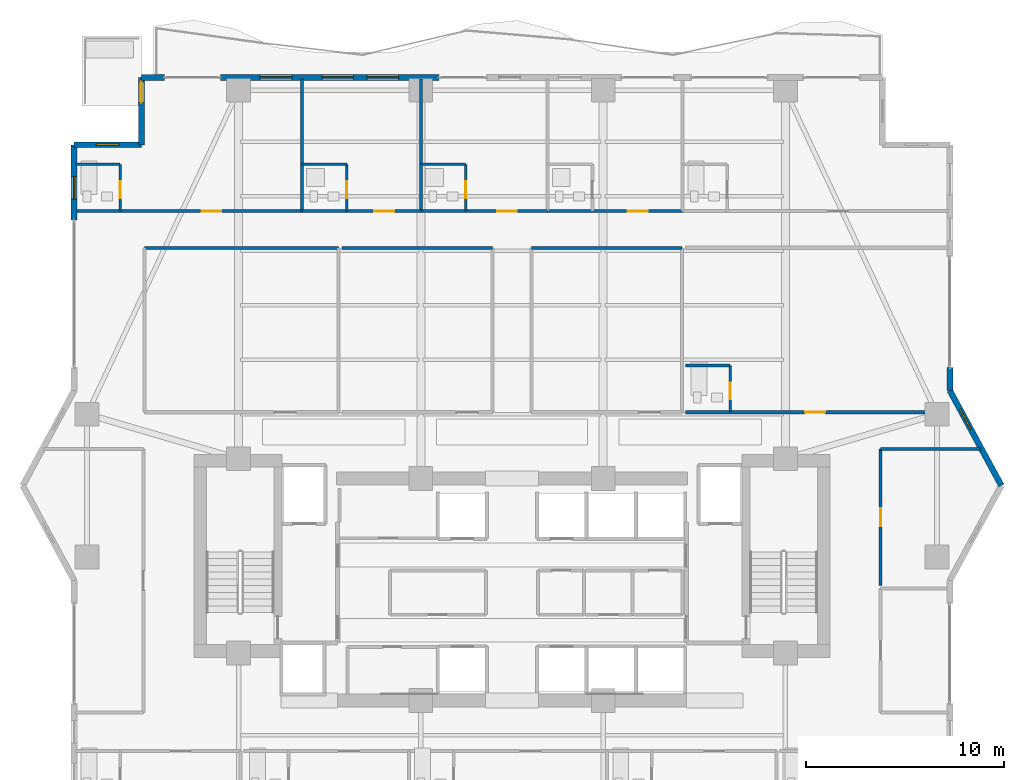
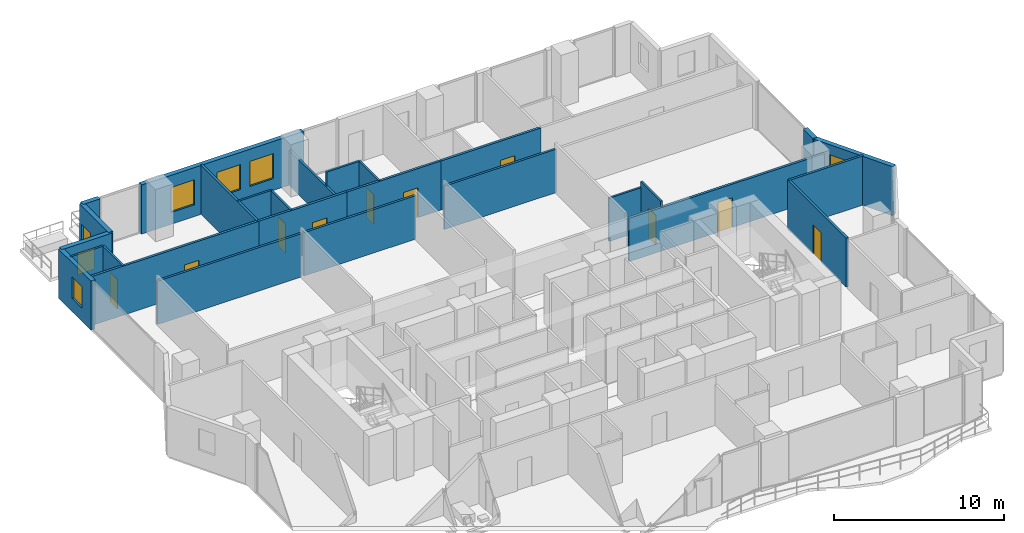
# One storey, part 27 of 32: 27 walls, 11 doors, 6 windows, 17 openings.
"""IFC4 building model written with IfcOpenShell, lengths in metres."""

from ifc_helpers import new_model, si_unit, direction, frame, frame_2d, origin, place, context, subcontext, project, spatial, rectangle, extrude, material, layer, layer_set, type_object, element, fill, save


model = new_model("IFC4")

# Units and contexts
model_context = context("Model", 3, precision=1e-05, world=origin(), true_north=direction((0.0, 1.0)))
body_context = subcontext(model_context, "Body", "Model", "MODEL_VIEW")
ifc_project = project(units=[si_unit("LENGTHUNIT", "METRE"), si_unit("AREAUNIT", "SQUARE_METRE"), si_unit("VOLUMEUNIT", "CUBIC_METRE"), si_unit("PLANEANGLEUNIT", "RADIAN"), si_unit("MASSUNIT", "GRAM", prefix="KILO")], contexts=[model_context])

# Site, building, storey
site_placement = place(None, origin())
site = spatial("IfcSite", under=ifc_project, at=site_placement, CompositionType="ELEMENT")
building_placement = place(site_placement, origin())
building = spatial("IfcBuilding", under=site, at=building_placement, Name="Zuhayl Quay Hotel", CompositionType="ELEMENT")
storey_placement = place(building_placement, frame((0.0, 0.0, 177.39990234375)))
storey = spatial("IfcBuildingStorey", under=building, at=storey_placement, Name="L44", CompositionType="ELEMENT", Elevation=177.39990234375)

# Wall, opening, window
ifc_material_1 = material(Name="Precast concrete C45/55", Category="concrete")
ifc_layer_1 = layer(ifc_material_1, 0.300048828125, Name="Precast concrete C45/55", Category="concrete")
ifc_layer_set_1 = layer_set([ifc_layer_1], Name="Precast concrete C45/55")
wall_type_1 = type_object("IfcWallType", Name="WL_EXT_300", PredefinedType="STANDARD", material=ifc_layer_set_1)
wall_1_placement = place(storey_placement, frame((-22.10009765625, 26.39990234375, 0.0), z_axis=(0.0, 0.0, 1.0), x_axis=(0.0, 1.0, 0.0)))
wall_1 = element("IfcWall", 1, at=wall_1_placement, inside=storey, type_object=wall_type_1, Name="L44 Exterior Precast Wall ENV_L44_E05_EW2", PredefinedType="STANDARD", context=body_context, shape_type="SweptSolid", body=[
    extrude(rectangle(XDim=3.800048828125, YDim=0.300048828125, at=frame_2d((1.89990234375, 0.0))), origin(), (0.0, 0.0, 1.0), 3.530029296875),
])
opening_1_placement = place(wall_1_placement, frame((1.054931640625, 0.0, 0.949951171875)))
opening_1 = element("IfcOpeningElement", 2, at=opening_1_placement, cuts=wall_1, Name="Opening W01N", PredefinedType="OPENING", context=body_context, shape_type="SweptSolid", body=[
    extrude(rectangle(XDim=1.14990234375, YDim=1.550048828125, at=frame_2d((0.574951171875, 0.77490234375))), frame((0.0, 0.159912109375, 0.0), z_axis=(0.0, -1.0, 0.0), x_axis=(1.0, 0.0, 0.0)), (0.0, 0.0, 1.0), 0.320068359375),
])
ifc_material_2 = material(Name="Dark Ceramic-Fritted Solar Glass", Category="glass")
window_type_1 = type_object("IfcWindowType", Name="WN_NOTCH_1350", PartitioningType="SINGLE_PANEL", PredefinedType="WINDOW", material=ifc_material_2)
window_1_placement = place(opening_1_placement, origin())
window_1 = element("IfcWindow", 3, at=window_1_placement, inside=storey, type_object=window_type_1, Name="L44 Operable Facade Window 2-1", OverallHeight=1.550048828125, OverallWidth=1.14990234375, PartitioningType="SINGLE_PANEL", PredefinedType="WINDOW", context=body_context, shape_type="SweptSolid", body=[
    extrude(rectangle(XDim=1.14990234375, YDim=1.550048828125, at=frame_2d((0.574951171875, 0.77490234375))), frame((0.0, 0.030029296875, 0.0), z_axis=(0.0, -1.0, 0.0), x_axis=(1.0, 0.0, 0.0)), (0.0, 0.0, 1.0), 0.06005859375),
])
fill(opening_1, window_1)

wall_2_placement = place(storey_placement, frame((-22.10009765625, 30.199951171875, 0.0), z_axis=(0.0, 0.0, 1.0), x_axis=(1.0, 0.0, 0.0)))
wall_2 = element("IfcWall", 4, at=wall_2_placement, inside=storey, type_object=wall_type_1, Name="L44 Exterior Precast Wall ENV_L44_EW06", PredefinedType="STANDARD", context=body_context, shape_type="SweptSolid", body=[
    extrude(rectangle(XDim=3.400146484375, YDim=0.300048828125, at=frame_2d((1.7001953125, 0.0))), origin(), (0.0, 0.0, 1.0), 3.530029296875),
])
opening_2_placement = place(wall_2_placement, frame((1.125, 0.0, 1.25)))
opening_2 = element("IfcOpeningElement", 5, at=opening_2_placement, cuts=wall_2, Name="Opening W01N", PredefinedType="OPENING", context=body_context, shape_type="SweptSolid", body=[
    extrude(rectangle(XDim=1.14990234375, YDim=1.550048828125, at=frame_2d((0.574951171875, 0.77490234375))), frame((0.0, 0.159912109375, 0.0), z_axis=(0.0, -1.0, 0.0), x_axis=(1.0, 0.0, 0.0)), (0.0, 0.0, 1.0), 0.320068359375),
])
window_2_placement = place(opening_2_placement, origin())
window_2 = element("IfcWindow", 6, at=window_2_placement, inside=storey, type_object=window_type_1, Name="L44 Corner Notch Window 6", OverallHeight=1.550048828125, OverallWidth=1.14990234375, PartitioningType="SINGLE_PANEL", PredefinedType="WINDOW", context=body_context, shape_type="SweptSolid", body=[
    extrude(rectangle(XDim=1.14990234375, YDim=1.550048828125, at=frame_2d((0.574951171875, 0.77490234375))), frame((0.0, 0.030029296875, 0.0), z_axis=(0.0, -1.0, 0.0), x_axis=(1.0, 0.0, 0.0)), (0.0, 0.0, 1.0), 0.06005859375),
])
fill(opening_2, window_2)

# Wall, opening, door
wall_3_placement = place(storey_placement, frame((-18.699951171875, 30.199951171875, 0.0), z_axis=(0.0, 0.0, 1.0), x_axis=(0.0, 1.0, 0.0)))
wall_3 = element("IfcWall", 7, at=wall_3_placement, inside=storey, type_object=wall_type_1, Name="L44 Exterior Precast Wall ENV_L44_SP_NW", PredefinedType="STANDARD", context=body_context, shape_type="SweptSolid", body=[
    extrude(rectangle(XDim=3.400146484375, YDim=0.300048828125, at=frame_2d((1.7001953125, 0.0))), origin(), (0.0, 0.0, 1.0), 3.530029296875),
])
opening_3_placement = place(wall_3_placement, frame((2.1298828125, 0.0, 0.0)))
opening_3 = element("IfcOpeningElement", 8, at=opening_3_placement, cuts=wall_3, Name="Opening DG1", PredefinedType="OPENING", context=body_context, shape_type="SweptSolid", body=[
    extrude(rectangle(XDim=1.050048828125, YDim=2.199951171875, at=frame_2d((0.52490234375, 1.10009765625))), frame((0.0, 0.159912109375, 0.0), z_axis=(0.0, -1.0, 0.0), x_axis=(1.0, 0.0, 0.0)), (0.0, 0.0, 1.0), 0.320068359375),
])
ifc_material_3 = material(Name="Anodised Aluminium and Dark Solar Glass", Category="aluminium")
door_type_1 = type_object("IfcDoorType", Name="DR_EXT_TERR_1050", OperationType="NOTDEFINED", PredefinedType="DOOR", material=ifc_material_3)
door_1_placement = place(opening_3_placement, origin())
door_1 = element("IfcDoor", 9, at=door_1_placement, inside=storey, type_object=door_type_1, Name="L44 Spiral Sky-Terrace NW Access Door", OperationType="SINGLE_SWING_LEFT", OverallHeight=2.199951171875, OverallWidth=1.050048828125, PredefinedType="DOOR", context=body_context, shape_type="SweptSolid", body=[
    extrude(rectangle(XDim=1.050048828125, YDim=2.199951171875, at=frame_2d((0.52490234375, 1.10009765625))), frame((0.0, 0.02490234375, 0.0), z_axis=(0.0, -1.0, 0.0), x_axis=(1.0, 0.0, 0.0)), (0.0, 0.0, 1.0), 0.050048828125),
])
fill(opening_3, door_1)

# Wall
wall_4_placement = place(storey_placement, frame((-18.699951171875, 33.60009765625, 0.0), z_axis=(0.0, 0.0, 1.0), x_axis=(1.0, 0.0, 0.0)))
element("IfcWall", 10, at=wall_4_placement, inside=storey, type_object=wall_type_1, Name="L44 Exterior Precast Wall ENV_L44_N_EW1", PredefinedType="STANDARD", context=body_context, shape_type="SweptSolid", body=[
    extrude(rectangle(XDim=1.14990234375, YDim=0.300048828125, at=frame_2d((0.574951171875, 0.0))), origin(), (0.0, 0.0, 1.0), 3.530029296875),
])

# Wall, openings, windows
wall_5_placement = place(storey_placement, frame((-14.719970703125, 33.60009765625, 0.0), z_axis=(0.0, 0.0, 1.0), x_axis=(1.0, 0.0, 0.0)))
wall_5 = element("IfcWall", 11, at=wall_5_placement, inside=storey, type_object=wall_type_1, Name="L44 Exterior Precast Wall ENV_L44_N_EW2", PredefinedType="STANDARD", context=body_context, shape_type="SweptSolid", body=[
    extrude(rectangle(XDim=11.0400390625, YDim=0.300048828125, at=frame_2d((5.52001953125, 0.0))), origin(), (0.0, 0.0, 1.0), 3.530029296875),
])
opening_4_placement = place(wall_5_placement, frame((5.1201171875, 0.0, 0.85009765625)))
opening_4 = element("IfcOpeningElement", 12, at=opening_4_placement, cuts=wall_5, Name="Opening W01", PredefinedType="OPENING", context=body_context, shape_type="SweptSolid", body=[
    extrude(rectangle(XDim=1.60009765625, YDim=1.800048828125, at=frame_2d((0.800048828125, 0.89990234375))), frame((0.0, 0.159912109375, 0.0), z_axis=(0.0, -1.0, 0.0), x_axis=(1.0, 0.0, 0.0)), (0.0, 0.0, 1.0), 0.320068359375),
])
opening_5_placement = place(wall_5_placement, frame((2.010009765625, 0.0, 0.85009765625)))
opening_5 = element("IfcOpeningElement", 13, at=opening_5_placement, cuts=wall_5, Name="Opening W01", PredefinedType="OPENING", context=body_context, shape_type="SweptSolid", body=[
    extrude(rectangle(XDim=1.60009765625, YDim=1.800048828125, at=frame_2d((0.800048828125, 0.89990234375))), frame((0.0, 0.159912109375, 0.0), z_axis=(0.0, -1.0, 0.0), x_axis=(1.0, 0.0, 0.0)), (0.0, 0.0, 1.0), 0.320068359375),
])
opening_6_placement = place(wall_5_placement, frame((7.39501953125, 0.0, 0.85009765625)))
opening_6 = element("IfcOpeningElement", 14, at=opening_6_placement, cuts=wall_5, Name="Opening W01", PredefinedType="OPENING", context=body_context, shape_type="SweptSolid", body=[
    extrude(rectangle(XDim=1.60009765625, YDim=1.800048828125, at=frame_2d((0.800048828125, 0.89990234375))), frame((0.0, 0.159912109375, 0.0), z_axis=(0.0, -1.0, 0.0), x_axis=(1.0, 0.0, 0.0)), (0.0, 0.0, 1.0), 0.320068359375),
])
window_type_2 = type_object("IfcWindowType", Name="WN_OPERABLE_1600", PartitioningType="DOUBLE_PANEL_VERTICAL", PredefinedType="WINDOW", material=ifc_material_2)
window_3_placement = place(opening_4_placement, origin())
window_3 = element("IfcWindow", 15, at=window_3_placement, inside=storey, type_object=window_type_2, Name="L44 North Operable Casement Window", OverallHeight=1.800048828125, OverallWidth=1.60009765625, PartitioningType="SINGLE_PANEL", PredefinedType="WINDOW", context=body_context, shape_type="SweptSolid", body=[
    extrude(rectangle(XDim=1.60009765625, YDim=1.800048828125, at=frame_2d((0.800048828125, 0.89990234375))), frame((0.0, 0.030029296875, 0.0), z_axis=(0.0, -1.0, 0.0), x_axis=(1.0, 0.0, 0.0)), (0.0, 0.0, 1.0), 0.06005859375),
])
fill(opening_4, window_3)
window_4_placement = place(opening_5_placement, origin())
window_4 = element("IfcWindow", 16, at=window_4_placement, inside=storey, type_object=window_type_2, Name="L44 Operable Facade Window 2-1", OverallHeight=1.800048828125, OverallWidth=1.60009765625, PartitioningType="SINGLE_PANEL", PredefinedType="WINDOW", context=body_context, shape_type="SweptSolid", body=[
    extrude(rectangle(XDim=1.60009765625, YDim=1.800048828125, at=frame_2d((0.800048828125, 0.89990234375))), frame((0.0, 0.030029296875, 0.0), z_axis=(0.0, -1.0, 0.0), x_axis=(1.0, 0.0, 0.0)), (0.0, 0.0, 1.0), 0.06005859375),
])
fill(opening_5, window_4)
window_5_placement = place(opening_6_placement, origin())
window_5 = element("IfcWindow", 17, at=window_5_placement, inside=storey, type_object=window_type_2, Name="L44 Operable Facade Window 2-2", OverallHeight=1.800048828125, OverallWidth=1.60009765625, PartitioningType="SINGLE_PANEL", PredefinedType="WINDOW", context=body_context, shape_type="SweptSolid", body=[
    extrude(rectangle(XDim=1.60009765625, YDim=1.800048828125, at=frame_2d((0.800048828125, 0.89990234375))), frame((0.0, 0.030029296875, 0.0), z_axis=(0.0, -1.0, 0.0), x_axis=(1.0, 0.0, 0.0)), (0.0, 0.0, 1.0), 0.06005859375),
])
fill(opening_6, window_5)

# Wall
wall_6_placement = place(storey_placement, frame((22.10009765625, 18.949951171875, 0.0), z_axis=(0.0, 0.0, 1.0), x_axis=(0.0, -1.0, 0.0)))
element("IfcWall", 18, at=wall_6_placement, inside=storey, type_object=wall_type_1, Name="L44 Exterior Precast Wall ENV_L44_E11_EW2", PredefinedType="STANDARD", context=body_context, shape_type="SweptSolid", body=[
    extrude(rectangle(XDim=1.14990234375, YDim=0.300048828125, at=frame_2d((0.574951171875, 0.0))), origin(), (0.0, 0.0, 1.0), 3.530029296875),
])

# Wall, opening, window
wall_7_placement = place(storey_placement, frame((22.10009765625, 17.800048828125, 0.0), z_axis=(0.0, 0.0, 1.0), x_axis=(0.476258655584, -0.879305233114, 0.0)))
wall_7 = element("IfcWall", 19, at=wall_7_placement, inside=storey, type_object=wall_type_1, Name="L44 Exterior Precast Wall ENV_L44_EW12", PredefinedType="STANDARD", context=body_context, shape_type="SweptSolid", body=[
    extrude(rectangle(XDim=5.458984375, YDim=0.300048828125, at=frame_2d((2.7294921875, 0.0))), origin(), (0.0, 0.0, 1.0), 3.530029296875),
])
opening_7_placement = place(wall_7_placement, frame((1.078125, 0.0, 1.25)))
opening_7 = element("IfcOpeningElement", 20, at=opening_7_placement, cuts=wall_7, Name="Opening W01N", PredefinedType="OPENING", context=body_context, shape_type="SweptSolid", body=[
    extrude(rectangle(XDim=1.14990234375, YDim=1.550048828125, at=frame_2d((0.574951171875, 0.77490234375))), frame((0.0, 0.159912109375, 0.0), z_axis=(0.0, -1.0, 0.0), x_axis=(1.0, 0.0, 0.0)), (0.0, 0.0, 1.0), 0.320068359375),
])
window_6_placement = place(opening_7_placement, origin())
window_6 = element("IfcWindow", 21, at=window_6_placement, inside=storey, type_object=window_type_1, Name="L44 Corner Notch Window 12", OverallHeight=1.550048828125, OverallWidth=1.14990234375, PartitioningType="SINGLE_PANEL", PredefinedType="WINDOW", context=body_context, shape_type="SweptSolid", body=[
    extrude(rectangle(XDim=1.14990234375, YDim=1.550048828125, at=frame_2d((0.574951171875, 0.77490234375))), frame((0.0, 0.030029296875, 0.0), z_axis=(0.0, -1.0, 0.0), x_axis=(1.0, 0.0, 0.0)), (0.0, 0.0, 1.0), 0.06005859375),
])
fill(opening_7, window_6)

# Walls
ifc_material_4 = material(Name="Acoustic Gypsum Partition STC-58")
ifc_layer_2 = layer(ifc_material_4, 0.14990234375, Name="Acoustic Gypsum Partition STC-58")
ifc_layer_set_2 = layer_set([ifc_layer_2], Name="Acoustic Gypsum Partition STC-58")
wall_type_2 = type_object("IfcWallType", Name="WL_PART_150", PredefinedType="PARTITIONING", material=ifc_layer_set_2)
wall_8_placement = place(storey_placement, frame((-10.60009765625, 26.85009765625, 0.0), z_axis=(0.0, 0.0, 1.0), x_axis=(0.0, 1.0, 0.0)))
element("IfcWall", 22, at=wall_8_placement, inside=storey, type_object=wall_type_2, Name="L44 Partition IW_L44_NU01_E", PredefinedType="PARTITIONING", context=body_context, shape_type="SweptSolid", body=[
    extrude(rectangle(XDim=6.669921875, YDim=0.14990234375, at=frame_2d((3.3349609375, 0.0))), origin(), (0.0, 0.0, 1.0), 3.530029296875),
])
wall_9_placement = place(storey_placement, frame((-4.60009765625, 26.85009765625, 0.0), z_axis=(0.0, 0.0, 1.0), x_axis=(0.0, 1.0, 0.0)))
element("IfcWall", 23, at=wall_9_placement, inside=storey, type_object=wall_type_2, Name="L44 Partition IW_L44_NU02_E", PredefinedType="PARTITIONING", context=body_context, shape_type="SweptSolid", body=[
    extrude(rectangle(XDim=6.669921875, YDim=0.14990234375, at=frame_2d((3.3349609375, 0.0))), origin(), (0.0, 0.0, 1.0), 2.51904296875),
])
wall_10_placement = place(storey_placement, frame((-18.550048828125, 25.0, 0.0), z_axis=(0.0, 0.0, 1.0), x_axis=(1.0, 0.0, 0.0)))
element("IfcWall", 24, at=wall_10_placement, inside=storey, type_object=wall_type_2, Name="L44 Partition IW_L44_Z3_SAL_W1_N", PredefinedType="PARTITIONING", context=body_context, shape_type="SweptSolid", body=[
    extrude(rectangle(XDim=9.800048828125, YDim=0.14990234375, at=frame_2d((4.89990234375, 0.0))), origin(), (0.0, 0.0, 1.0), 3.1240234375),
])
for number, where, z_axis, x_axis, name in (
    (25, (-8.590087890625, 25.0, 0.0), (0.0, 0.0, 1.0), (1.0, 0.0, 0.0), "L44 Partition IW_L44_Z3_SAL_W2_N"),
    (26, (0.97998046875, 25.0, 0.0), (0.0, 0.0, 1.0), (1.0, 0.0, 0.0), "L44 Partition IW_L44_Z3_SAL_E1_N"),
):
    element("IfcWall", number, at=place(storey_placement, frame(where, z_axis=z_axis, x_axis=x_axis)), inside=storey, type_object=wall_type_2, Name=name, PredefinedType="PARTITIONING", context=body_context, shape_type="SweptSolid", body=[
        extrude(rectangle(XDim=7.610107421875, YDim=0.14990234375, at=frame_2d((3.80517578125, 0.0))), origin(), (0.0, 0.0, 1.0), 3.1240234375),
    ])
wall_11_placement = place(storey_placement, frame((18.60009765625, 14.85009765625, 0.0), z_axis=(0.0, 0.0, 1.0), x_axis=(1.0, 0.0, 0.0)))
element("IfcWall", 27, at=wall_11_placement, inside=storey, type_object=wall_type_2, Name="L44 Partition IW_L44_EFLK_2_N", PredefinedType="PARTITIONING", context=body_context, shape_type="SweptSolid", body=[
    extrude(rectangle(XDim=5.037841796875, YDim=0.14990234375, at=frame_2d((2.51904296875, 0.0))), origin(), (0.0, 0.0, 1.0), 3.530029296875),
])

# Wall, opening, door
ifc_layer_3 = layer(ifc_material_4, 0.159912109375, Name="Acoustic Gypsum Partition STC-58")
ifc_layer_set_3 = layer_set([ifc_layer_3], Name="Acoustic Gypsum Partition STC-58")
wall_type_3 = type_object("IfcWallType", Name="WL_PART_CORR_160", PredefinedType="PARTITIONING", material=ifc_layer_set_3)
wall_12_placement = place(storey_placement, frame((-22.0400390625, 26.85009765625, 0.0), z_axis=(0.0, 0.0, 1.0), x_axis=(1.0, 0.0, 0.0)))
wall_12 = element("IfcWall", 28, at=wall_12_placement, inside=storey, type_object=wall_type_3, Name="L44 Partition IW_L44_NU01_COR", PredefinedType="PARTITIONING", context=body_context, shape_type="SweptSolid", body=[
    extrude(rectangle(XDim=11.43994140625, YDim=0.159912109375, at=frame_2d((5.719970703125, 0.0))), origin(), (0.0, 0.0, 1.0), 3.530029296875),
])
opening_8_placement = place(wall_12_placement, frame((6.3701171875, 0.0, 0.0)))
opening_8 = element("IfcOpeningElement", 29, at=opening_8_placement, cuts=wall_12, Name="Opening D03L", PredefinedType="OPENING", context=body_context, shape_type="SweptSolid", body=[
    extrude(rectangle(XDim=1.0, YDim=2.14990234375, at=frame_2d((0.5, 1.074951171875))), frame((0.0, 0.08984375, 0.0), z_axis=(0.0, -1.0, 0.0), x_axis=(1.0, 0.0, 0.0)), (0.0, 0.0, 1.0), 0.179931640625),
])
ifc_material_5 = material(Name="Solid Walnut Acoustic Fire Door")
door_type_2 = type_object("IfcDoorType", Name="DR_SUITE_1000", OperationType="NOTDEFINED", PredefinedType="DOOR", material=ifc_material_5)
door_2_placement = place(opening_8_placement, origin())
door_2 = element("IfcDoor", 30, at=door_2_placement, inside=storey, type_object=door_type_2, Name="L44 Panoramic Gulf Suite L44-01 Entrance Door", OperationType="SINGLE_SWING_LEFT", OverallHeight=2.14990234375, OverallWidth=1.0, PredefinedType="DOOR", context=body_context, shape_type="SweptSolid", body=[
    extrude(rectangle(XDim=1.0, YDim=2.14990234375, at=frame_2d((0.5, 1.074951171875))), frame((0.0, 0.02490234375, 0.0), z_axis=(0.0, -1.0, 0.0), x_axis=(1.0, 0.0, 0.0)), (0.0, 0.0, 1.0), 0.050048828125),
])
fill(opening_8, door_2)

wall_13_placement = place(storey_placement, frame((-10.60009765625, 26.85009765625, 0.0), z_axis=(0.0, 0.0, 1.0), x_axis=(1.0, 0.0, 0.0)))
wall_13 = element("IfcWall", 31, at=wall_13_placement, inside=storey, type_object=wall_type_3, Name="L44 Partition IW_L44_NU02_COR", PredefinedType="PARTITIONING", context=body_context, shape_type="SweptSolid", body=[
    extrude(rectangle(XDim=6.0, YDim=0.159912109375, at=frame_2d((3.0, 0.0))), origin(), (0.0, 0.0, 1.0), 3.530029296875),
])
opening_9_placement = place(wall_13_placement, frame((3.64990234375, 0.0, 0.0)))
opening_9 = element("IfcOpeningElement", 32, at=opening_9_placement, cuts=wall_13, Name="Opening D03L", PredefinedType="OPENING", context=body_context, shape_type="SweptSolid", body=[
    extrude(rectangle(XDim=1.0, YDim=2.14990234375, at=frame_2d((0.5, 1.074951171875))), frame((0.0, 0.08984375, 0.0), z_axis=(0.0, -1.0, 0.0), x_axis=(1.0, 0.0, 0.0)), (0.0, 0.0, 1.0), 0.179931640625),
])
door_3_placement = place(opening_9_placement, origin())
door_3 = element("IfcDoor", 33, at=door_3_placement, inside=storey, type_object=door_type_2, Name="L44 Panoramic Gulf Suite L44-02 Entrance Door", OperationType="SINGLE_SWING_LEFT", OverallHeight=2.14990234375, OverallWidth=1.0, PredefinedType="DOOR", context=body_context, shape_type="SweptSolid", body=[
    extrude(rectangle(XDim=1.0, YDim=2.14990234375, at=frame_2d((0.5, 1.074951171875))), frame((0.0, 0.02490234375, 0.0), z_axis=(0.0, -1.0, 0.0), x_axis=(1.0, 0.0, 0.0)), (0.0, 0.0, 1.0), 0.050048828125),
])
fill(opening_9, door_3)

wall_14_placement = place(storey_placement, frame((-4.60009765625, 26.85009765625, 0.0), z_axis=(0.0, 0.0, 1.0), x_axis=(1.0, 0.0, 0.0)))
wall_14 = element("IfcWall", 34, at=wall_14_placement, inside=storey, type_object=wall_type_3, Name="L44 Partition IW_L44_NU03_COR", PredefinedType="PARTITIONING", context=body_context, shape_type="SweptSolid", body=[
    extrude(rectangle(XDim=6.400146484375, YDim=0.159912109375, at=frame_2d((3.2001953125, 0.0))), origin(), (0.0, 0.0, 1.0), 3.530029296875),
])
opening_10_placement = place(wall_14_placement, frame((3.85009765625, 0.0, 0.0)))
opening_10 = element("IfcOpeningElement", 35, at=opening_10_placement, cuts=wall_14, Name="Opening D03L", PredefinedType="OPENING", context=body_context, shape_type="SweptSolid", body=[
    extrude(rectangle(XDim=1.0, YDim=2.14990234375, at=frame_2d((0.5, 1.074951171875))), frame((0.0, 0.08984375, 0.0), z_axis=(0.0, -1.0, 0.0), x_axis=(1.0, 0.0, 0.0)), (0.0, 0.0, 1.0), 0.179931640625),
])
door_4_placement = place(opening_10_placement, origin())
door_4 = element("IfcDoor", 36, at=door_4_placement, inside=storey, type_object=door_type_2, Name="L44 Panoramic Gulf Suite L44-03 Entrance Door", OperationType="SINGLE_SWING_LEFT", OverallHeight=2.14990234375, OverallWidth=1.0, PredefinedType="DOOR", context=body_context, shape_type="SweptSolid", body=[
    extrude(rectangle(XDim=1.0, YDim=2.14990234375, at=frame_2d((0.5, 1.074951171875))), frame((0.0, 0.02490234375, 0.0), z_axis=(0.0, -1.0, 0.0), x_axis=(1.0, 0.0, 0.0)), (0.0, 0.0, 1.0), 0.050048828125),
])
fill(opening_10, door_4)

wall_15_placement = place(storey_placement, frame((1.800048828125, 26.85009765625, 0.0), z_axis=(0.0, 0.0, 1.0), x_axis=(1.0, 0.0, 0.0)))
wall_15 = element("IfcWall", 37, at=wall_15_placement, inside=storey, type_object=wall_type_3, Name="L44 Partition IW_L44_NU04_COR", PredefinedType="PARTITIONING", context=body_context, shape_type="SweptSolid", body=[
    extrude(rectangle(XDim=6.800048828125, YDim=0.159912109375, at=frame_2d((3.39990234375, 0.0))), origin(), (0.0, 0.0, 1.0), 3.530029296875),
])
opening_11_placement = place(wall_15_placement, frame((4.050048828125, 0.0, 0.0)))
opening_11 = element("IfcOpeningElement", 38, at=opening_11_placement, cuts=wall_15, Name="Opening D03L", PredefinedType="OPENING", context=body_context, shape_type="SweptSolid", body=[
    extrude(rectangle(XDim=1.0, YDim=2.14990234375, at=frame_2d((0.5, 1.074951171875))), frame((0.0, 0.08984375, 0.0), z_axis=(0.0, -1.0, 0.0), x_axis=(1.0, 0.0, 0.0)), (0.0, 0.0, 1.0), 0.179931640625),
])
door_5_placement = place(opening_11_placement, origin())
door_5 = element("IfcDoor", 39, at=door_5_placement, inside=storey, type_object=door_type_2, Name="L44 Panoramic Gulf Suite L44-04 Entrance Door", OperationType="SINGLE_SWING_LEFT", OverallHeight=2.14990234375, OverallWidth=1.0, PredefinedType="DOOR", context=body_context, shape_type="SweptSolid", body=[
    extrude(rectangle(XDim=1.0, YDim=2.14990234375, at=frame_2d((0.5, 1.074951171875))), frame((0.0, 0.02490234375, 0.0), z_axis=(0.0, -1.0, 0.0), x_axis=(1.0, 0.0, 0.0)), (0.0, 0.0, 1.0), 0.050048828125),
])
fill(opening_11, door_5)

wall_16_placement = place(storey_placement, frame((8.75, 16.699951171875, 0.0), z_axis=(0.0, 0.0, 1.0), x_axis=(1.0, 0.0, 0.0)))
wall_16 = element("IfcWall", 40, at=wall_16_placement, inside=storey, type_object=wall_type_3, Name="L44 Partition IW_L44_MU01_COR", PredefinedType="PARTITIONING", context=body_context, shape_type="SweptSolid", body=[
    extrude(rectangle(XDim=13.2900390625, YDim=0.159912109375, at=frame_2d((6.64501953125, 0.0))), origin(), (0.0, 0.0, 1.0), 3.1240234375),
])
opening_12_placement = place(wall_16_placement, frame((6.050048828125, 0.0, 0.0)))
opening_12 = element("IfcOpeningElement", 41, at=opening_12_placement, cuts=wall_16, Name="Opening D03L", PredefinedType="OPENING", context=body_context, shape_type="SweptSolid", body=[
    extrude(rectangle(XDim=1.0, YDim=2.14990234375, at=frame_2d((0.5, 1.074951171875))), frame((0.0, 0.08984375, 0.0), z_axis=(0.0, -1.0, 0.0), x_axis=(1.0, 0.0, 0.0)), (0.0, 0.0, 1.0), 0.179931640625),
])
door_6_placement = place(opening_12_placement, origin())
door_6 = element("IfcDoor", 42, at=door_6_placement, inside=storey, type_object=door_type_2, Name="L44 Club Corner Suite L44-M1 Entrance Door", OperationType="SINGLE_SWING_RIGHT", OverallHeight=2.14990234375, OverallWidth=1.0, PredefinedType="DOOR", context=body_context, shape_type="SweptSolid", body=[
    extrude(rectangle(XDim=1.0, YDim=2.14990234375, at=frame_2d((0.5, 1.074951171875))), frame((0.0, 0.02490234375, 0.0), z_axis=(0.0, -1.0, 0.0), x_axis=(1.0, 0.0, 0.0)), (0.0, 0.0, 1.0), 0.050048828125),
])
fill(opening_12, door_6)

wall_17_placement = place(storey_placement, frame((18.60009765625, 7.9599609375, 0.0), z_axis=(0.0, 0.0, 1.0), x_axis=(0.0, 1.0, 0.0)))
wall_17 = element("IfcWall", 43, at=wall_17_placement, inside=storey, type_object=wall_type_3, Name="L44 Partition IW_L44_EFLK_2_W", PredefinedType="PARTITIONING", context=body_context, shape_type="SweptSolid", body=[
    extrude(rectangle(XDim=6.89013671875, YDim=0.159912109375, at=frame_2d((3.445068359375, 0.0))), origin(), (0.0, 0.0, 1.0), 3.530029296875),
])
opening_13_placement = place(wall_17_placement, frame((2.985107421875, 0.0, 0.0)))
opening_13 = element("IfcOpeningElement", 44, at=opening_13_placement, cuts=wall_17, Name="Opening D05", PredefinedType="OPENING", context=body_context, shape_type="SweptSolid", body=[
    extrude(rectangle(XDim=0.919921875, YDim=2.1201171875, at=frame_2d((0.4599609375, 1.06005859375))), frame((0.0, 0.08984375, 0.0), z_axis=(0.0, -1.0, 0.0), x_axis=(1.0, 0.0, 0.0)), (0.0, 0.0, 1.0), 0.179931640625),
])
door_type_3 = type_object("IfcDoorType", Name="DR_INT_950", OperationType="NOTDEFINED", PredefinedType="DOOR", material=ifc_material_5)
door_7_placement = place(opening_13_placement, origin())
door_7 = element("IfcDoor", 45, at=door_7_placement, inside=storey, type_object=door_type_3, Name="L44 Floor Beverage and Ice Pantry Door", OperationType="SINGLE_SWING_RIGHT", OverallHeight=2.1201171875, OverallWidth=0.919921875, PredefinedType="DOOR", context=body_context, shape_type="SweptSolid", body=[
    extrude(rectangle(XDim=0.919921875, YDim=2.1201171875, at=frame_2d((0.4599609375, 1.06005859375))), frame((0.0, 0.02490234375, 0.0), z_axis=(0.0, -1.0, 0.0), x_axis=(1.0, 0.0, 0.0)), (0.0, 0.0, 1.0), 0.050048828125),
])
fill(opening_13, door_7)

ifc_material_6 = material(Name="Moisture-Resistant Sanitarychase Gypsum")
ifc_layer_4 = layer(ifc_material_6, 0.135009765625, Name="Moisture-Resistant Sanitarychase Gypsum")
ifc_layer_set_4 = layer_set([ifc_layer_4], Name="Moisture-Resistant Sanitarychase Gypsum")
wall_type_4 = type_object("IfcWallType", Name="WL_PART_PLUMB_150", PredefinedType="PLUMBINGWALL", material=ifc_layer_set_4)
wall_18_placement = place(storey_placement, frame((-19.780029296875, 26.85009765625, 0.0), z_axis=(0.0, 0.0, 1.0), x_axis=(0.0, 1.0, 0.0)))
wall_18 = element("IfcWall", 46, at=wall_18_placement, inside=storey, type_object=wall_type_4, Name="L44 Partition IW_L44_NU01_BE", PredefinedType="PLUMBINGWALL", context=body_context, shape_type="SweptSolid", body=[
    extrude(rectangle(XDim=2.35986328125, YDim=0.135009765625, at=frame_2d((1.179931640625, 0.0))), origin(), (0.0, 0.0, 1.0), 3.530029296875),
])
opening_14_placement = place(wall_18_placement, frame((0.64990234375, 0.0, 0.0)))
opening_14 = element("IfcOpeningElement", 47, at=opening_14_placement, cuts=wall_18, Name="Opening D04", PredefinedType="OPENING", context=body_context, shape_type="SweptSolid", body=[
    extrude(rectangle(XDim=0.85009765625, YDim=2.10009765625, at=frame_2d((0.425048828125, 1.050048828125))), frame((0.0, 0.077392578125, 0.0), z_axis=(0.0, -1.0, 0.0), x_axis=(1.0, 0.0, 0.0)), (0.0, 0.0, 1.0), 0.155029296875),
])
ifc_material_7 = material(Name="Moisture-Resistant Walnut Veneer")
door_type_4 = type_object("IfcDoorType", Name="DR_BATH_850", OperationType="NOTDEFINED", PredefinedType="DOOR", material=ifc_material_7)
door_8_placement = place(opening_14_placement, origin())
door_8 = element("IfcDoor", 48, at=door_8_placement, inside=storey, type_object=door_type_4, Name="L44 Panoramic Gulf Suite L44-01 En-Suite Door", OperationType="SINGLE_SWING_RIGHT", OverallHeight=2.10009765625, OverallWidth=0.85009765625, PredefinedType="DOOR", context=body_context, shape_type="SweptSolid", body=[
    extrude(rectangle(XDim=0.85009765625, YDim=2.10009765625, at=frame_2d((0.425048828125, 1.050048828125))), frame((0.0, 0.02490234375, 0.0), z_axis=(0.0, -1.0, 0.0), x_axis=(1.0, 0.0, 0.0)), (0.0, 0.0, 1.0), 0.050048828125),
])
fill(opening_14, door_8)

wall_19_placement = place(storey_placement, frame((-8.340087890625, 26.85009765625, 0.0), z_axis=(0.0, 0.0, 1.0), x_axis=(0.0, 1.0, 0.0)))
wall_19 = element("IfcWall", 49, at=wall_19_placement, inside=storey, type_object=wall_type_4, Name="L44 Partition IW_L44_NU02_BE", PredefinedType="PLUMBINGWALL", context=body_context, shape_type="SweptSolid", body=[
    extrude(rectangle(XDim=2.35986328125, YDim=0.135009765625, at=frame_2d((1.179931640625, 0.0))), origin(), (0.0, 0.0, 1.0), 3.530029296875),
])
opening_15_placement = place(wall_19_placement, frame((0.64990234375, 0.0, 0.0)))
opening_15 = element("IfcOpeningElement", 50, at=opening_15_placement, cuts=wall_19, Name="Opening D04", PredefinedType="OPENING", context=body_context, shape_type="SweptSolid", body=[
    extrude(rectangle(XDim=0.85009765625, YDim=2.10009765625, at=frame_2d((0.425048828125, 1.050048828125))), frame((0.0, 0.077392578125, 0.0), z_axis=(0.0, -1.0, 0.0), x_axis=(1.0, 0.0, 0.0)), (0.0, 0.0, 1.0), 0.155029296875),
])
door_9_placement = place(opening_15_placement, origin())
door_9 = element("IfcDoor", 51, at=door_9_placement, inside=storey, type_object=door_type_4, Name="L44 Panoramic Gulf Suite L44-02 En-Suite Door", OperationType="SINGLE_SWING_RIGHT", OverallHeight=2.10009765625, OverallWidth=0.85009765625, PredefinedType="DOOR", context=body_context, shape_type="SweptSolid", body=[
    extrude(rectangle(XDim=0.85009765625, YDim=2.10009765625, at=frame_2d((0.425048828125, 1.050048828125))), frame((0.0, 0.02490234375, 0.0), z_axis=(0.0, -1.0, 0.0), x_axis=(1.0, 0.0, 0.0)), (0.0, 0.0, 1.0), 0.050048828125),
])
fill(opening_15, door_9)

wall_20_placement = place(storey_placement, frame((-2.340087890625, 26.85009765625, 0.0), z_axis=(0.0, 0.0, 1.0), x_axis=(0.0, 1.0, 0.0)))
wall_20 = element("IfcWall", 52, at=wall_20_placement, inside=storey, type_object=wall_type_4, Name="L44 Partition IW_L44_NU03_BE", PredefinedType="PLUMBINGWALL", context=body_context, shape_type="SweptSolid", body=[
    extrude(rectangle(XDim=2.35986328125, YDim=0.135009765625, at=frame_2d((1.179931640625, 0.0))), origin(), (0.0, 0.0, 1.0), 3.530029296875),
])
opening_16_placement = place(wall_20_placement, frame((0.64990234375, 0.0, 0.0)))
opening_16 = element("IfcOpeningElement", 53, at=opening_16_placement, cuts=wall_20, Name="Opening D04", PredefinedType="OPENING", context=body_context, shape_type="SweptSolid", body=[
    extrude(rectangle(XDim=0.85009765625, YDim=2.10009765625, at=frame_2d((0.425048828125, 1.050048828125))), frame((0.0, 0.077392578125, 0.0), z_axis=(0.0, -1.0, 0.0), x_axis=(1.0, 0.0, 0.0)), (0.0, 0.0, 1.0), 0.155029296875),
])
door_10_placement = place(opening_16_placement, origin())
door_10 = element("IfcDoor", 54, at=door_10_placement, inside=storey, type_object=door_type_4, Name="L44 Panoramic Gulf Suite L44-03 En-Suite Door", OperationType="SINGLE_SWING_RIGHT", OverallHeight=2.10009765625, OverallWidth=0.85009765625, PredefinedType="DOOR", context=body_context, shape_type="SweptSolid", body=[
    extrude(rectangle(XDim=0.85009765625, YDim=2.10009765625, at=frame_2d((0.425048828125, 1.050048828125))), frame((0.0, 0.02490234375, 0.0), z_axis=(0.0, -1.0, 0.0), x_axis=(1.0, 0.0, 0.0)), (0.0, 0.0, 1.0), 0.050048828125),
])
fill(opening_16, door_10)

wall_21_placement = place(storey_placement, frame((11.010009765625, 16.699951171875, 0.0), z_axis=(0.0, 0.0, 1.0), x_axis=(0.0, 1.0, 0.0)))
wall_21 = element("IfcWall", 55, at=wall_21_placement, inside=storey, type_object=wall_type_4, Name="L44 Partition IW_L44_MU01_BE", PredefinedType="PLUMBINGWALL", context=body_context, shape_type="SweptSolid", body=[
    extrude(rectangle(XDim=2.360107421875, YDim=0.135009765625, at=frame_2d((1.18017578125, 0.0))), origin(), (0.0, 0.0, 1.0), 3.530029296875),
])
opening_17_placement = place(wall_21_placement, frame((0.64990234375, 0.0, 0.0)))
opening_17 = element("IfcOpeningElement", 56, at=opening_17_placement, cuts=wall_21, Name="Opening D04", PredefinedType="OPENING", context=body_context, shape_type="SweptSolid", body=[
    extrude(rectangle(XDim=0.85009765625, YDim=2.10009765625, at=frame_2d((0.425048828125, 1.050048828125))), frame((0.0, 0.077392578125, 0.0), z_axis=(0.0, -1.0, 0.0), x_axis=(1.0, 0.0, 0.0)), (0.0, 0.0, 1.0), 0.155029296875),
])
door_11_placement = place(opening_17_placement, origin())
door_11 = element("IfcDoor", 57, at=door_11_placement, inside=storey, type_object=door_type_4, Name="L44 Club Corner Suite L44-M1 En-Suite Door", OperationType="SINGLE_SWING_LEFT", OverallHeight=2.10009765625, OverallWidth=0.85009765625, PredefinedType="DOOR", context=body_context, shape_type="SweptSolid", body=[
    extrude(rectangle(XDim=0.85009765625, YDim=2.10009765625, at=frame_2d((0.425048828125, 1.050048828125))), frame((0.0, 0.02490234375, 0.0), z_axis=(0.0, -1.0, 0.0), x_axis=(1.0, 0.0, 0.0)), (0.0, 0.0, 1.0), 0.050048828125),
])
fill(opening_17, door_11)

# Walls
for number, where, z_axis, x_axis, name in (
    (58, (-22.0400390625, 29.2099609375, 0.0), (0.0, 0.0, 1.0), (1.0, 0.0, 0.0), "L44 Partition IW_L44_NU01_BN"),
    (59, (-10.60009765625, 29.2099609375, 0.0), (0.0, 0.0, 1.0), (1.0, 0.0, 0.0), "L44 Partition IW_L44_NU02_BN"),
    (60, (-4.60009765625, 29.2099609375, 0.0), (0.0, 0.0, 1.0), (1.0, 0.0, 0.0), "L44 Partition IW_L44_NU03_BN"),
):
    element("IfcWall", number, at=place(storey_placement, frame(where, z_axis=z_axis, x_axis=x_axis)), inside=storey, type_object=wall_type_4, Name=name, PredefinedType="PLUMBINGWALL", context=body_context, shape_type="SweptSolid", body=[
        extrude(rectangle(XDim=2.260009765625, YDim=0.135009765625, at=frame_2d((1.1298828125, 0.0))), origin(), (0.0, 0.0, 1.0), 3.530029296875),
    ])
wall_22_placement = place(storey_placement, frame((8.75, 19.06005859375, 0.0), z_axis=(0.0, 0.0, 1.0), x_axis=(1.0, 0.0, 0.0)))
element("IfcWall", 61, at=wall_22_placement, inside=storey, type_object=wall_type_4, Name="L44 Partition IW_L44_MU01_BN", PredefinedType="PLUMBINGWALL", context=body_context, shape_type="SweptSolid", body=[
    extrude(rectangle(XDim=2.260009765625, YDim=0.135009765625, at=frame_2d((1.1298828125, 0.0))), origin(), (0.0, 0.0, 1.0), 3.1240234375),
])

save(model, "model.ifc")
